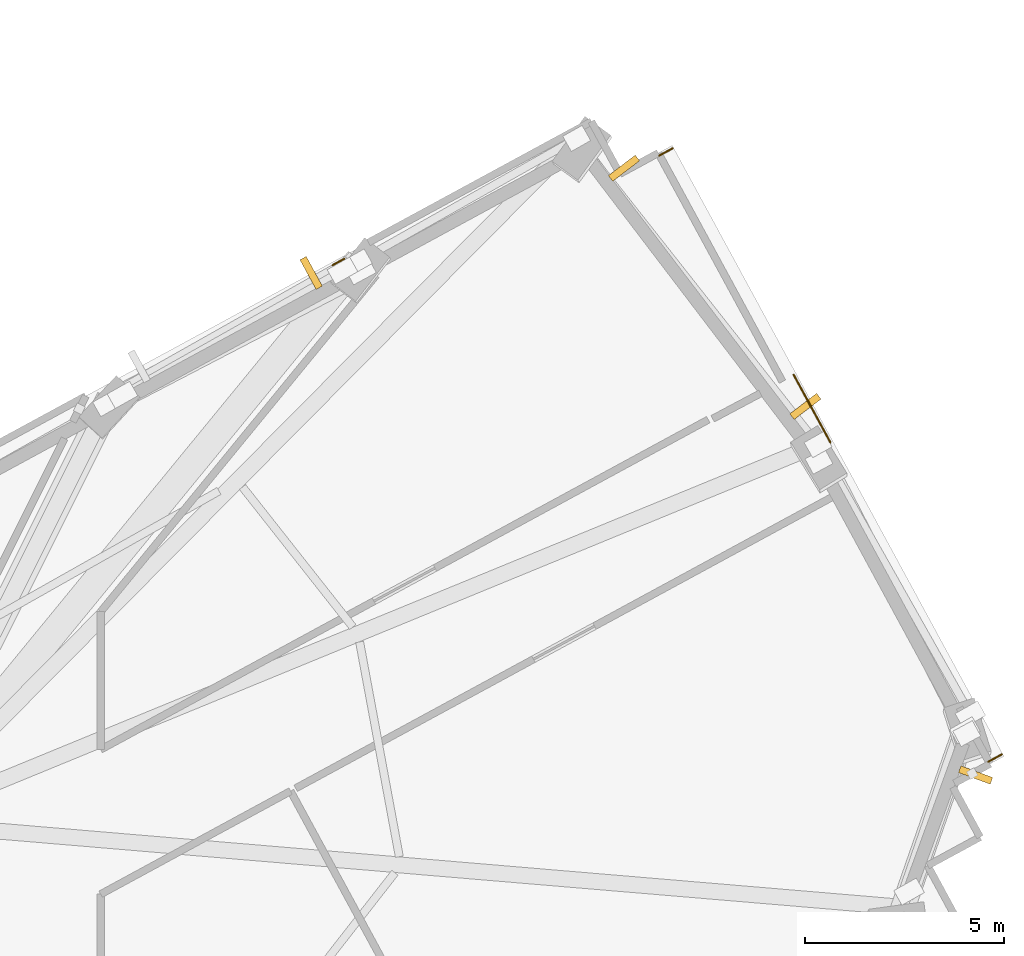
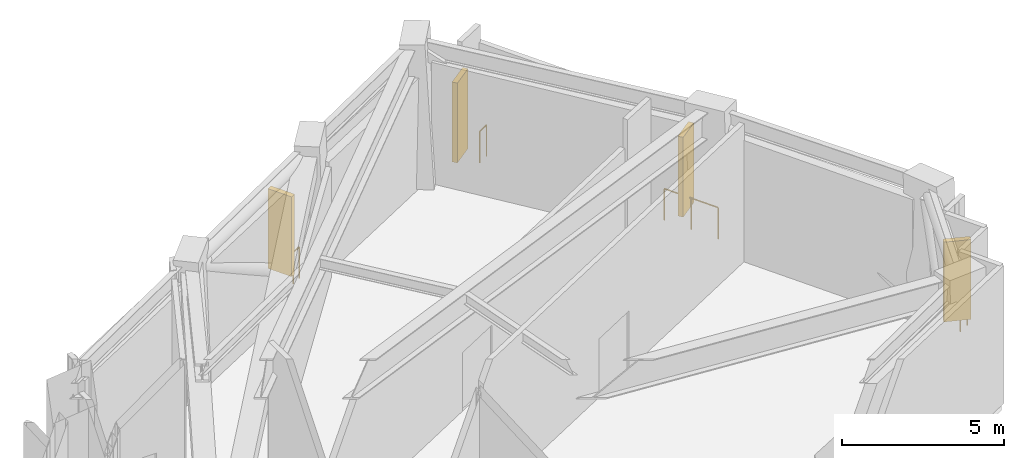
# One storey, part 15 of 15: 4 railings, 4 shading devices.
"""IFC4 building model written with IfcOpenShell, lengths in metres."""

from ifc_helpers import new_model, si_unit, direction, frame, origin, origin_2d, place, context, subcontext, project, spatial, rectangle, circle, extrude, material, layer, layer_set, type_object, element, save


model = new_model("IFC4")

# Units and contexts
model_context = context("Model", 3, precision=1e-05, world=origin(), true_north=direction((0.0, 1.0)))
body_context = subcontext(model_context, "Body", "Model", "MODEL_VIEW")
ifc_project = project(units=[si_unit("LENGTHUNIT", "METRE"), si_unit("AREAUNIT", "SQUARE_METRE"), si_unit("VOLUMEUNIT", "CUBIC_METRE"), si_unit("PLANEANGLEUNIT", "RADIAN"), si_unit("MASSUNIT", "GRAM", prefix="KILO")], contexts=[model_context])

# Site, building, storey
site_placement = place(None, origin())
site = spatial("IfcSite", under=ifc_project, at=site_placement, CompositionType="ELEMENT")
building_placement = place(site_placement, origin())
building = spatial("IfcBuilding", under=site, at=building_placement, Name="Gaonmaruhae Medical Tower", CompositionType="ELEMENT")
storey_placement = place(building_placement, frame((0.0, 0.0, 144.39990234375)))
storey = spatial("IfcBuildingStorey", under=building, at=storey_placement, Name="L34", CompositionType="ELEMENT", Elevation=144.39990234375)

# Railings
ifc_material_1 = material(Name="Stainless steel 316L and laminated safety glass", Category="steel")
ifc_layer = layer(ifc_material_1, 0.080078125)
ifc_layer_set = layer_set([ifc_layer], Name="Stainless steel 316L and laminated safety glass")
railing_type = type_object("IfcRailingType", Name="GD-120 Outdoor Terrace Safety Glass & Steel Balustrade", PredefinedType="BALUSTRADE", material=ifc_layer_set)
railing_1_placement = place(storey_placement, frame((63.039794921875, 18.333740234375, 0.0)))
element("IfcRailing", 1, at=railing_1_placement, inside=storey, type_object=railing_type, Name="L34 Perimeter Slab Edge Safety Balustrade 05", PredefinedType="BALUSTRADE", context=body_context, shape_type="SweptSolid", body=[
    extrude(circle(Radius=0.02392578125, at=origin_2d()), frame((0.0, 0.0, 1.17578125), z_axis=(0.878630172955, 0.477502899648, 0.0), x_axis=(-0.477502899648, 0.878630172955, 0.0)), (0.0, 0.0, 1.0), 0.39306640625),
    extrude(circle(Radius=0.02099609375, at=origin_2d()), origin(), (0.0, 0.0, 1.0), 1.15185546875),
    extrude(circle(Radius=0.02099609375, at=origin_2d()), frame((0.345458984375, 0.187744140625, 0.0)), (0.0, 0.0, 1.0), 1.15185546875),
])
railing_2_placement = place(storey_placement, frame((59.0673828125, 26.369384765625, 0.0)))
element("IfcRailing", 2, at=railing_2_placement, inside=storey, type_object=railing_type, Name="L34 Perimeter Slab Edge Safety Balustrade 06", PredefinedType="BALUSTRADE", context=body_context, shape_type="SweptSolid", body=[
    extrude(circle(Radius=0.02392578125, at=origin_2d()), frame((0.0, 0.0, 1.17578125), z_axis=(-0.477224781251, 0.878781262977, 0.0), x_axis=(-0.878781262977, -0.477224781251, 0.0)), (0.0, 0.0, 1.0), 1.945556640625),
    extrude(circle(Radius=0.02099609375, at=origin_2d()), origin(), (0.0, 0.0, 1.0), 1.15185546875),
    extrude(circle(Radius=0.02099609375, at=origin_2d()), frame((-0.46435546875, 0.85498046875, 0.0)), (0.0, 0.0, 1.0), 1.15185546875),
    extrude(circle(Radius=0.02099609375, at=origin_2d()), frame((-0.928466796875, 1.709716796875, 0.0)), (0.0, 0.0, 1.0), 1.15185546875),
])
railing_3_placement = place(storey_placement, frame((55.101806640625, 33.777587890625, 0.0)))
element("IfcRailing", 3, at=railing_3_placement, inside=storey, type_object=railing_type, Name="L34 Perimeter Slab Edge Safety Balustrade 07", PredefinedType="BALUSTRADE", context=body_context, shape_type="SweptSolid", body=[
    extrude(circle(Radius=0.02392578125, at=origin_2d()), frame((0.0, 0.0, 1.17578125), z_axis=(-0.879031855697, -0.476763040378, 0.0), x_axis=(0.476763040378, -0.879031855697, 0.0)), (0.0, 0.0, 1.0), 0.393310546875),
    extrude(circle(Radius=0.02099609375, at=origin_2d()), origin(), (0.0, 0.0, 1.0), 1.15185546875),
    extrude(circle(Radius=0.02099609375, at=origin_2d()), frame((-0.345703125, -0.1875, 0.0)), (0.0, 0.0, 1.0), 1.15185546875),
])
railing_4_placement = place(storey_placement, frame((46.8330078125, 30.994873046875, 0.0)))
element("IfcRailing", 4, at=railing_4_placement, inside=storey, type_object=railing_type, Name="L34 Perimeter Slab Edge Safety Balustrade 08", PredefinedType="BALUSTRADE", context=body_context, shape_type="SweptSolid", body=[
    extrude(circle(Radius=0.02392578125, at=origin_2d()), frame((0.0, 0.0, 1.17578125), z_axis=(-0.878991044205, -0.476838278882, 0.0), x_axis=(0.476838278882, -0.878991044205, 0.0)), (0.0, 0.0, 1.0), 0.340087890625),
    extrude(circle(Radius=0.02099609375, at=origin_2d()), origin(), (0.0, 0.0, 1.0), 1.15185546875),
    extrude(circle(Radius=0.02099609375, at=origin_2d()), frame((-0.298828125, -0.162109375, 0.0)), (0.0, 0.0, 1.0), 1.15185546875),
])

# Shading devices
ifc_material_2 = material(Name="Pigmented coral precast concrete C45/55", Category="concrete")
shading_device_type = type_object("IfcShadingDeviceType", Name="SD-FIN1 Tower Vertical Coral Precast Shading Fin", PredefinedType="USERDEFINED", material=ifc_material_2)
for number, where, z_axis, x_axis, name in (
    (5, (62.720703125, 17.99951171875, 0.78271484375), (0.0, 0.0, 1.0), (-0.342856444962, -0.939387810304, 0.0), "L34 Vertical Coral Precast Shading Fin S07"),
    (6, (53.8701171875, 33.273681640625, 0.78271484375), (0.0, 0.0, 1.0), (0.605863440108, -0.795568659476, 0.0), "L34 Vertical Coral Precast Shading Fin E02"),
    (7, (58.43701171875, 27.27685546875, 0.78271484375), (0.0, 0.0, 1.0), (0.605863440108, -0.795568659476, 0.0), "L34 Vertical Coral Precast Shading Fin E02B"),
    (8, (45.996337890625, 30.637451171875, 0.772705078125), (0.0, 0.0, 1.0), (0.878817112662, 0.47715876026, 0.0), "L34 Vertical Coral Precast Shading Fin EN01B"),
):
    element("IfcShadingDevice", number, at=place(storey_placement, frame(where, z_axis=z_axis, x_axis=x_axis)), inside=storey, type_object=shading_device_type, Name=name, ObjectType="FIN", PredefinedType="USERDEFINED", context=body_context, shape_type="SweptSolid", body=[
        extrude(rectangle(XDim=0.179931640625, YDim=0.85009765625, at=origin_2d()), origin(), (0.0, 0.0, 1.0), 3.0),
    ])

save(model, "model.ifc")
